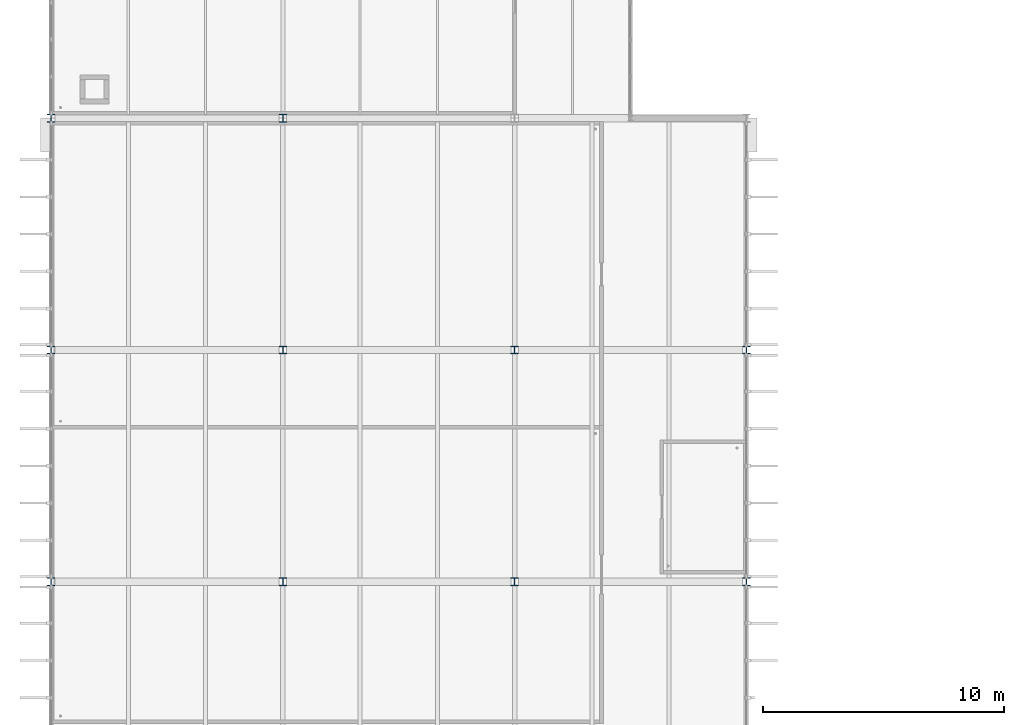
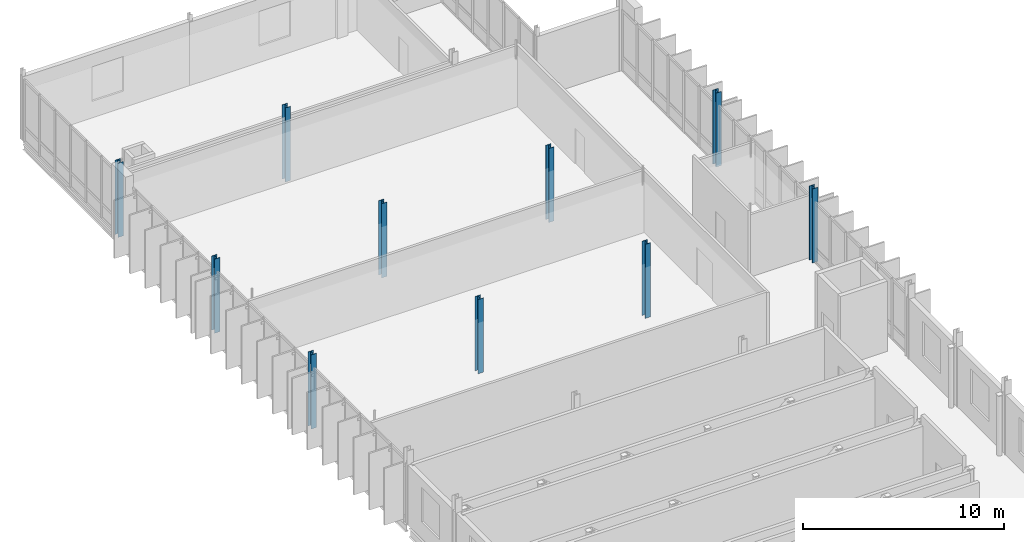
# One storey, part 9 of 110: 10 columns.
"""IFC4 building model written with IfcOpenShell, lengths in metres."""

from ifc_helpers import new_model, si_unit, direction, frame, origin, origin_2d, place, context, subcontext, project, spatial, i_section, extrude, material, material_profile, profile_set, type_object, element, save


model = new_model("IFC4")

# Units and contexts
model_context = context("Model", 3, precision=1e-05, world=origin(), true_north=direction((0.0, 1.0)))
body_context = subcontext(model_context, "Body", "Model", "MODEL_VIEW")
ifc_project = project(units=[si_unit("LENGTHUNIT", "METRE"), si_unit("AREAUNIT", "SQUARE_METRE"), si_unit("VOLUMEUNIT", "CUBIC_METRE"), si_unit("PLANEANGLEUNIT", "RADIAN"), si_unit("MASSUNIT", "GRAM", prefix="KILO")], contexts=[model_context])

# Site, building, storey
site_placement = place(None, origin())
site = spatial("IfcSite", under=ifc_project, at=site_placement, CompositionType="ELEMENT")
building_placement = place(site_placement, origin())
building = spatial("IfcBuilding", under=site, at=building_placement, Name="Dunescarp Central Library", CompositionType="ELEMENT")
storey_placement = place(building_placement, frame((0.0, 0.0, 9.60009765625)))
storey = spatial("IfcBuildingStorey", under=building, at=storey_placement, Name="L02", CompositionType="ELEMENT", Elevation=9.60009765625)

# Columns
ifc_material = material(Name="Steel S355JR", Category="steel")
ifc_material_profile = material_profile(ifc_material, i_section(OverallWidth=0.311279296875, OverallDepth=0.3271484375, WebThickness=0.015869140625, FlangeThickness=0.02490234375, at=origin_2d()), Name="UC 305x305x158")
ifc_profile_set = profile_set([ifc_material_profile], Name="Steel S355JR")
column_type = type_object("IfcColumnType", Name="STR-COL-UC305X158", PredefinedType="COLUMN", material=ifc_profile_set)
for number, where, z_axis, x_axis, name in (
    (1, (0.0, 70.39990234375, 0.0), (0.0, 0.0, 1.0), (1.0, 0.0, 0.0), "L02 column V4M-0-704"),
    (2, (0.0, 80.0, 0.0), (0.0, 0.0, 1.0), (1.0, 0.0, 0.0), "L02 column V4M-0-800"),
    (3, (0.0, 89.60009765625, 0.0), (0.0, 0.0, 1.0), (1.0, 0.0, 0.0), "L02 column V4M-0-896"),
    (4, (9.60009765625, 70.39990234375, 0.0), (0.0, 0.0, 1.0), (1.0, 0.0, 0.0), "L02 column V4M-96-704"),
    (5, (9.60009765625, 80.0, 0.0), (0.0, 0.0, 1.0), (1.0, 0.0, 0.0), "L02 column V4M-96-800"),
    (6, (9.60009765625, 89.60009765625, 0.0), (0.0, 0.0, 1.0), (1.0, 0.0, 0.0), "L02 column V4M-96-896"),
    (7, (19.199951171875, 70.39990234375, 0.0), (0.0, 0.0, 1.0), (1.0, 0.0, 0.0), "L02 column V4M-192-704"),
    (8, (19.199951171875, 80.0, 0.0), (0.0, 0.0, 1.0), (1.0, 0.0, 0.0), "L02 column V4M-192-800"),
    (9, (28.800048828125, 70.39990234375, 0.0), (0.0, 0.0, 1.0), (1.0, 0.0, 0.0), "L02 column V4M-288-704"),
    (10, (28.800048828125, 80.0, 0.0), (0.0, 0.0, 1.0), (1.0, 0.0, 0.0), "L02 column V4M-288-800"),
):
    element("IfcColumn", number, at=place(storey_placement, frame(where, z_axis=z_axis, x_axis=x_axis)), inside=storey, type_object=column_type, Name=name, PredefinedType="COLUMN", context=body_context, shape_type="SweptSolid", body=[
        extrude(i_section(OverallWidth=0.311279296875, OverallDepth=0.3271484375, WebThickness=0.015869140625, FlangeThickness=0.02490234375, at=origin_2d()), origin(), (0.0, 0.0, 1.0), 4.5),
    ])

save(model, "model.ifc")
